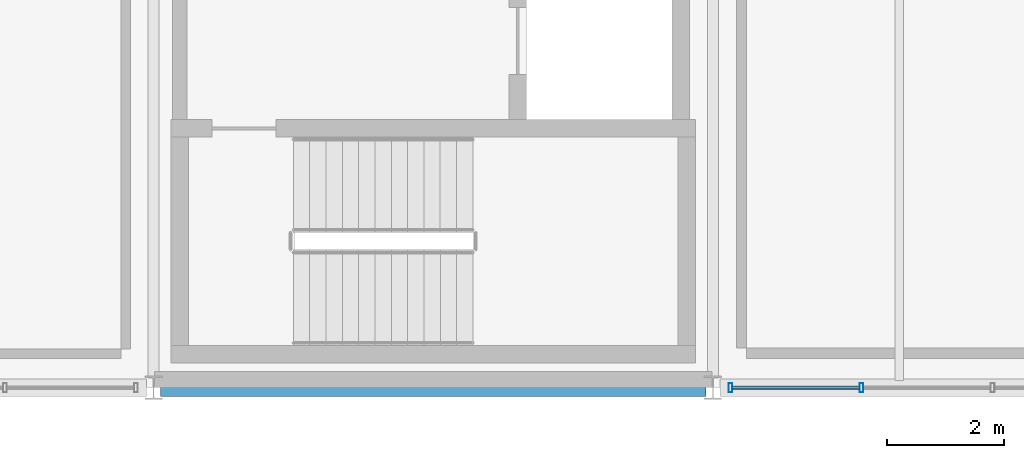
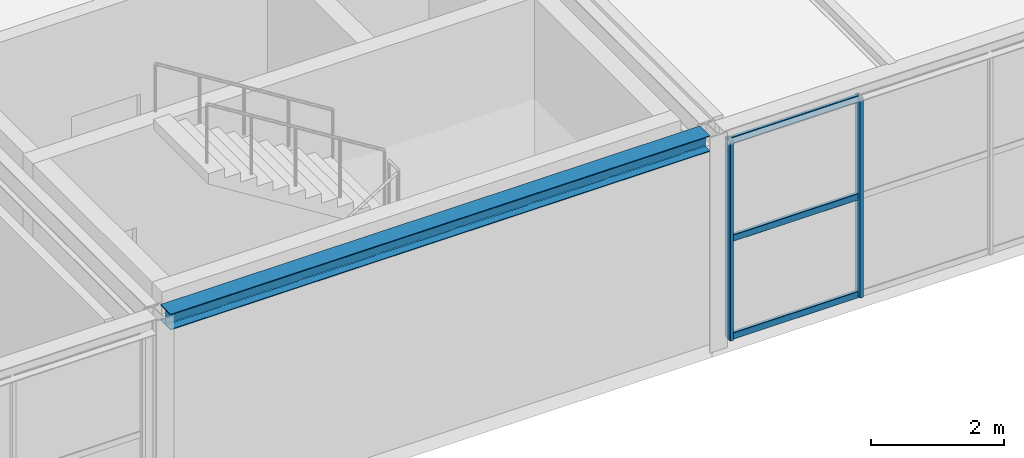
# One storey, part 14 of 126: 5 members, 1 beam, 1 element without a shape of its own.
"""IFC4 building model written with IfcOpenShell, lengths in metres."""

from ifc_helpers import new_model, si_unit, direction, frame, origin, origin_2d, place, context, subcontext, project, spatial, hollow_rectangle, i_section, extrude, material, material_profile, profile_set, type_object, element, aggregate, save


model = new_model("IFC4")

# Units and contexts
model_context = context("Model", 3, precision=1e-05, world=origin(), true_north=direction((0.0, 1.0)))
body_context = subcontext(model_context, "Body", "Model", "MODEL_VIEW")
ifc_project = project(units=[si_unit("LENGTHUNIT", "METRE"), si_unit("AREAUNIT", "SQUARE_METRE"), si_unit("VOLUMEUNIT", "CUBIC_METRE"), si_unit("PLANEANGLEUNIT", "RADIAN"), si_unit("MASSUNIT", "GRAM", prefix="KILO")], contexts=[model_context])

# Site, building, storey
site_placement = place(None, origin())
site = spatial("IfcSite", under=ifc_project, at=site_placement, CompositionType="ELEMENT")
building_placement = place(site_placement, origin())
building = spatial("IfcBuilding", under=site, at=building_placement, Name="Coralgate Yard Interchange", CompositionType="ELEMENT")
storey_placement = place(building_placement, frame((0.0, 0.0, 10.5)))
storey = spatial("IfcBuildingStorey", under=building, at=storey_placement, Name="L02", CompositionType="ELEMENT", Elevation=10.5)

# Beam
ifc_material_1 = material(Name="Structural steel S355J2", Category="steel")
ifc_material_profile_1 = material_profile(ifc_material_1, i_section(OverallWidth=0.300048828125, OverallDepth=0.2900390625, WebThickness=0.008544921875, FlangeThickness=0.013916015625, FilletRadius=0.027099609375, at=origin_2d()), Name="HEA 300")
ifc_profile_set_1 = profile_set([ifc_material_profile_1], Name="Structural steel S355J2")
beam_type = type_object("IfcBeamType", Name="BM-SP-2", PredefinedType="SPANDREL", material=ifc_profile_set_1)
beam_placement = place(storey_placement, frame((19.320068359375, 0.0, 3.804931640625), z_axis=(1.0, 0.0, 0.0), x_axis=(0.0, 1.0, 0.0)))
element("IfcBeam", 1, at=beam_placement, inside=storey, type_object=beam_type, Name="L02 primary grid beam Y0 X2-3", PredefinedType="SPANDREL", context=body_context, shape_type="SweptSolid", body=[
    extrude(i_section(OverallWidth=0.300048828125, OverallDepth=0.2900390625, WebThickness=0.008544921875, FlangeThickness=0.013916015625, FilletRadius=0.027099609375, at=origin_2d()), origin(), (0.0, 0.0, 1.0), 9.35986328125),
])

# Curtain wall, members
ifc_material_2 = material(Name="Anodised coastal aluminium and solar-control low-E glass", Category="aluminium")
curtain_wall_type = type_object("IfcCurtainWallType", Name="CW-CW-L02-A", PredefinedType="NOTDEFINED", material=ifc_material_2)
curtain_wall_placement = place(storey_placement, origin())
curtain_wall = element("IfcCurtainWall", 2, at=curtain_wall_placement, inside=storey, type_object=curtain_wall_type, Name="L02 unitised curtain wall CW-L02-S-03-00", PredefinedType="NOTDEFINED")
ifc_material_3 = material(Name="Anodised coastal aluminium 6063-T6", Category="aluminium")
ifc_material_profile_2 = material_profile(ifc_material_3, hollow_rectangle(XDim=0.06494140625, YDim=0.159912109375, WallThickness=0.00390625, InnerFilletRadius=0.00390625, OuterFilletRadius=0.008056640625, at=origin_2d()), Name="ALU 65x160x4")
ifc_profile_set_2 = profile_set([ifc_material_profile_2], Name="Anodised coastal aluminium 6063-T6")
member_type_1 = type_object("IfcMemberType", Name="MB-MUL-160", PredefinedType="MULLION", material=ifc_profile_set_2)
member_1_placement = place(storey_placement, frame((31.35009765625, 0.0, 0.0), z_axis=(0.0, 0.0, 1.0), x_axis=(1.0, 0.0, 0.0)))
member_1 = element("IfcMember", 3, at=member_1_placement, type_object=member_type_1, Name="CW-L02-S-03-00 vertical mullion 4", PredefinedType="MULLION", context=body_context, shape_type="SweptSolid", body=[
    extrude(hollow_rectangle(XDim=0.06494140625, YDim=0.159912109375, WallThickness=0.00390625, InnerFilletRadius=0.00390625, OuterFilletRadius=0.008056640625, at=origin_2d()), origin(), (0.0, 0.0, 1.0), 3.659912109375),
])
member_2_placement = place(storey_placement, frame((29.10009765625, 0.0, 0.0), z_axis=(0.0, 0.0, 1.0), x_axis=(1.0, 0.0, 0.0)))
member_2 = element("IfcMember", 4, at=member_2_placement, type_object=member_type_1, Name="CW-L02-S-03-00 vertical mullion 5", PredefinedType="MULLION", context=body_context, shape_type="SweptSolid", body=[
    extrude(hollow_rectangle(XDim=0.06494140625, YDim=0.159912109375, WallThickness=0.00390625, InnerFilletRadius=0.00390625, OuterFilletRadius=0.008056640625, at=origin_2d()), origin(), (0.0, 0.0, 1.0), 3.659912109375),
])
ifc_material_profile_3 = material_profile(ifc_material_3, hollow_rectangle(XDim=0.06005859375, YDim=0.1201171875, WallThickness=0.00341796875, InnerFilletRadius=0.00341796875, OuterFilletRadius=0.007080078125, at=origin_2d()), Name="ALU 60x120x3.5")
ifc_profile_set_3 = profile_set([ifc_material_profile_3], Name="Anodised coastal aluminium 6063-T6")
member_type_2 = type_object("IfcMemberType", Name="MB-TRN-120", PredefinedType="USERDEFINED", material=ifc_profile_set_3)
member_3_placement = place(storey_placement, frame((31.320068359375, 0.0, 0.034912109375), z_axis=(-1.0, 0.0, 0.0), x_axis=(0.0, -1.0, 0.0)))
member_3 = element("IfcMember", 5, at=member_3_placement, type_object=member_type_2, Name="CW-L02-S-03-00 horizontal transom 4-1", ObjectType="TRANSOM", PredefinedType="USERDEFINED", context=body_context, shape_type="SweptSolid", body=[
    extrude(hollow_rectangle(XDim=0.06005859375, YDim=0.1201171875, WallThickness=0.00341796875, InnerFilletRadius=0.00341796875, OuterFilletRadius=0.007080078125, at=origin_2d()), origin(), (0.0, 0.0, 1.0), 2.190185546875),
])
member_4_placement = place(storey_placement, frame((31.320068359375, 0.0, 1.830078125), z_axis=(-1.0, 0.0, 0.0), x_axis=(0.0, -1.0, 0.0)))
member_4 = element("IfcMember", 6, at=member_4_placement, type_object=member_type_2, Name="CW-L02-S-03-00 horizontal transom 4-2", ObjectType="TRANSOM", PredefinedType="USERDEFINED", context=body_context, shape_type="SweptSolid", body=[
    extrude(hollow_rectangle(XDim=0.06005859375, YDim=0.1201171875, WallThickness=0.00341796875, InnerFilletRadius=0.00341796875, OuterFilletRadius=0.007080078125, at=origin_2d()), origin(), (0.0, 0.0, 1.0), 2.190185546875),
])
member_5_placement = place(storey_placement, frame((31.320068359375, 0.0, 3.625), z_axis=(-1.0, 0.0, 0.0), x_axis=(0.0, -1.0, 0.0)))
member_5 = element("IfcMember", 7, at=member_5_placement, type_object=member_type_2, Name="CW-L02-S-03-00 horizontal transom 4-3", ObjectType="TRANSOM", PredefinedType="USERDEFINED", context=body_context, shape_type="SweptSolid", body=[
    extrude(hollow_rectangle(XDim=0.06005859375, YDim=0.1201171875, WallThickness=0.00341796875, InnerFilletRadius=0.00341796875, OuterFilletRadius=0.007080078125, at=origin_2d()), origin(), (0.0, 0.0, 1.0), 2.190185546875),
])
aggregate(curtain_wall, [member_1, member_2, member_3, member_4, member_5])

save(model, "model.ifc")
